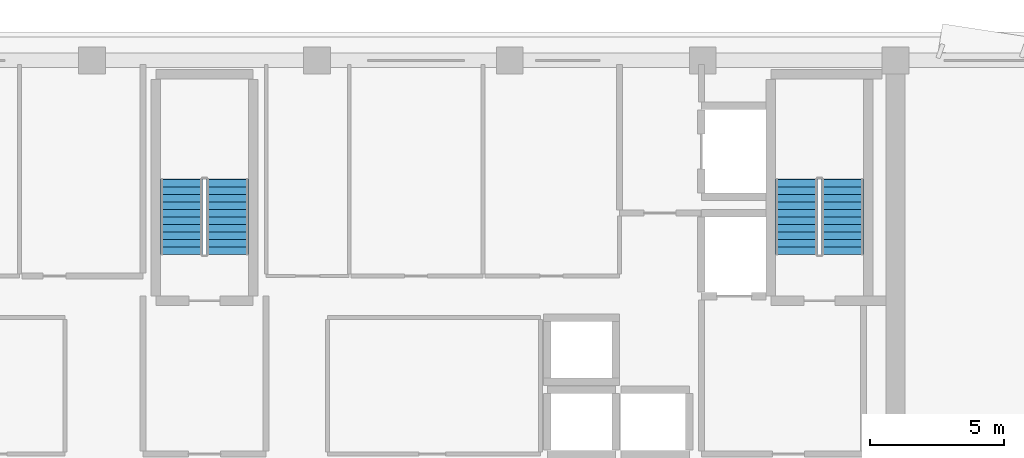
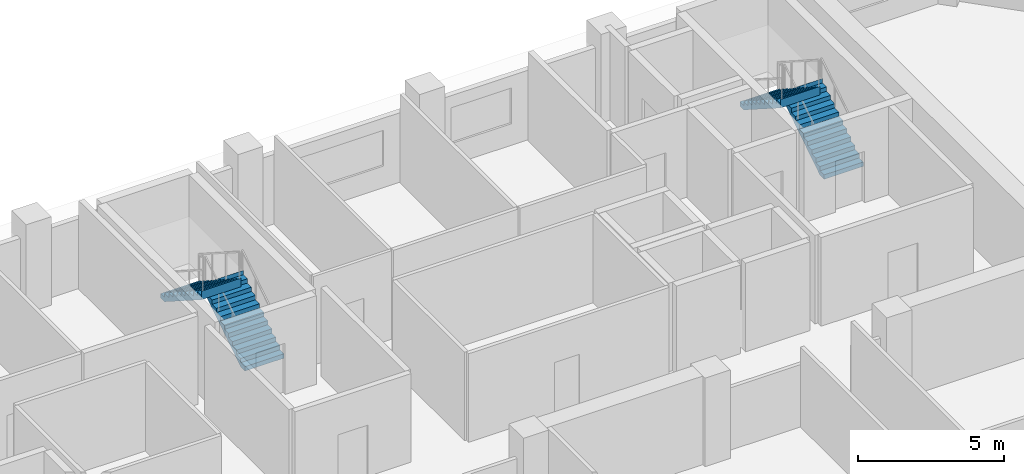
# One storey, part 8 of 11: 4 stair flights, 2 elements without a shape of their own.
"""IFC4 building model written with IfcOpenShell, lengths in metres."""

import ifcopenshell
import ifcopenshell.guid

model = None  # the IFC model being written
_history = None  # IfcOwnerHistory: only IFC2X3 demands one
_inside = {}  # id of a spatial element -> (the spatial element, [elements in it])
_under = {}  # id of a project, library or spatial element -> (it, [spatial elements below it])
_declared = {}  # id of a project -> (the project, [libraries it declares])
_typed = {}  # id of a type object -> (the type object, [elements of that type])
_made_of = {}  # id of a material, layer set ... -> (it, [elements and type objects made of it])


def new_model(schema):
    """Start an empty IFC model of exactly this schema.

    Asked for "IFC4X3", IfcOpenShell would pick the latest addendum, in which some entities
    have other attributes; the version numbers below select the first issue.
    IFC2X3 requires an IfcOwnerHistory on every rooted entity: one is made here for all.
    """
    global model, _history
    if schema == "IFC4X3":
        model = ifcopenshell.file(schema_version=(4, 3, 0, 0))
    else:
        model = ifcopenshell.file(schema=schema)
    _inside.clear()
    _under.clear()
    _declared.clear()
    _typed.clear()
    _made_of.clear()
    _history = None
    if model.schema == "IFC2X3":
        org = make("IfcOrganization", Name="unknown")
        user = make(
            "IfcPersonAndOrganization",
            ThePerson=make("IfcPerson", FamilyName="unknown"),
            TheOrganization=org,
        )
        app = make(
            "IfcApplication",
            ApplicationDeveloper=org,
            Version="unknown",
            ApplicationFullName="unknown",
            ApplicationIdentifier="unknown",
        )
        _history = make(
            "IfcOwnerHistory",
            OwningUser=user,
            OwningApplication=app,
            ChangeAction="ADDED",
            CreationDate=0,
        )
    return model


def make(cls, **values):
    """One entity of the class cls with the attributes given. An attribute that is None is left unset."""
    return model.create_entity(
        cls, **{name: value for name, value in values.items() if value is not None}
    )


def rooted(cls, **values):
    """An entity with a GlobalId (a new one), such as an element, a storey or a relation."""
    return make(cls, GlobalId=ifcopenshell.guid.new(), OwnerHistory=_history, **values)


def si_unit(unit_type, name, prefix=None):
    """IfcSIUnit, for example si_unit("LENGTHUNIT", "METRE", prefix="MILLI")."""
    return make("IfcSIUnit", UnitType=unit_type, Prefix=prefix, Name=name)


def assignment(units):
    """IfcUnitAssignment: the units of a project."""
    return None if units is None else make("IfcUnitAssignment", Units=units)


def point(xyz):
    """IfcCartesianPoint."""
    return None if xyz is None else make("IfcCartesianPoint", Coordinates=xyz)


def direction(xyz):
    """IfcDirection."""
    return None if xyz is None else make("IfcDirection", DirectionRatios=xyz)


def frame(location, z_axis=None, x_axis=None):
    """IfcAxis2Placement3D, a coordinate frame: its origin and axes. An axis left out is left unset."""
    return make(
        "IfcAxis2Placement3D",
        Location=point(location),
        Axis=direction(z_axis),
        RefDirection=direction(x_axis),
    )


def origin():
    """The frame at (0, 0, 0) with its axes left unset."""
    return frame((0.0, 0.0, 0.0))


def place(relative_to, where):
    """IfcLocalPlacement: puts the frame where relative to a parent placement (None: the world)."""
    return make(
        "IfcLocalPlacement", PlacementRelTo=relative_to, RelativePlacement=where
    )


def context(
    kind, dimensions, precision=None, world=None, true_north=None, identifier=None
):
    """IfcGeometricRepresentationContext, for example the 3D "Model" context."""
    return make(
        "IfcGeometricRepresentationContext",
        ContextIdentifier=identifier,
        ContextType=kind,
        CoordinateSpaceDimension=dimensions,
        Precision=precision,
        WorldCoordinateSystem=world,
        TrueNorth=true_north,
    )


def subcontext(parent, identifier, kind, view, scale=None):
    """IfcGeometricRepresentationSubContext, for example "Body" below "Model"."""
    return make(
        "IfcGeometricRepresentationSubContext",
        ContextIdentifier=identifier,
        ContextType=kind,
        ParentContext=parent,
        TargetScale=scale,
        TargetView=view,
    )


def project(units=None, contexts=None):
    """IfcProject with its units and contexts."""
    return rooted(
        "IfcProject",
        Name="project",
        RepresentationContexts=contexts,
        UnitsInContext=assignment(units),
    )


def spatial(cls, under=None, at=None, **own):
    """A site, building, storey or space (cls), placed at a placement, below another one or the project."""
    s = rooted(cls, ObjectPlacement=at, **own)
    if under is not None:
        _under.setdefault(under.id(), (under, []))[1].append(s)
    return s


def polyline(points):
    """IfcPolyline through the points."""
    return make("IfcPolyline", Points=[point(p) for p in points])


def outline(outer, holes=None, kind="AREA"):
    """IfcArbitraryClosedProfileDef: a profile drawn as a closed curve; with holes, ...WithVoids."""
    if holes is None:
        return make("IfcArbitraryClosedProfileDef", ProfileType=kind, OuterCurve=outer)
    return make(
        "IfcArbitraryProfileDefWithVoids",
        ProfileType=kind,
        OuterCurve=outer,
        InnerCurves=holes,
    )


def extrude(swept, where, along, depth):
    """IfcExtrudedAreaSolid: the profile swept, set in the frame where, extruded along a direction by depth."""
    return make(
        "IfcExtrudedAreaSolid",
        SweptArea=swept,
        Position=where,
        ExtrudedDirection=direction(along),
        Depth=depth,
    )


def shape(context_of_items, identifier, shape_type, items):
    """IfcShapeRepresentation: the items that make up one representation, for example the "Body"."""
    return make(
        "IfcShapeRepresentation",
        ContextOfItems=context_of_items,
        RepresentationIdentifier=identifier,
        RepresentationType=shape_type,
        Items=items,
    )


def material(Name=None, Category=None):
    """IfcMaterial."""
    return make("IfcMaterial", Name=Name, Category=Category)


def made_of(thing, what):
    """Note that an element or type object is made of a material, layer set ...; save() writes the relation."""
    if what is not None:
        _made_of.setdefault(what.id(), (what, []))[1].append(thing)
    return thing


def type_object(cls, material=None, **own):
    """A type object (cls), such as IfcWallType, which elements share."""
    return made_of(rooted(cls, **own), material)


def element(
    cls,
    number,
    at=None,
    inside=None,
    cuts=None,
    type_object=None,
    material=None,
    context=None,
    identifier="Body",
    shape_type=None,
    held_by="IfcProductDefinitionShape",
    body=None,
    shapes=None,
    **own,
):
    """One element of the class cls, such as IfcWall. Its Tag is "e" and its number.

    at: its placement. inside: the storey or other place that contains it. cuts: it is an
    opening in that element (IfcRelVoidsElement). A single representation is given by context,
    identifier, shape_type and body (its items); several are given by shapes. held_by: the class
    of the entity that holds the representations. save() writes the other relations.
    """
    e = rooted(cls, Tag="e%d" % number, ObjectPlacement=at, **own)
    if body is not None:
        shapes = [shape(context, identifier, shape_type, body)]
    if shapes is not None:
        e.Representation = make(held_by, Representations=shapes)
    if inside is not None:
        _inside.setdefault(inside.id(), (inside, []))[1].append(e)
    if cuts is not None:
        rooted(
            "IfcRelVoidsElement", RelatingBuildingElement=cuts, RelatedOpeningElement=e
        )
    if type_object is not None:
        _typed.setdefault(type_object.id(), (type_object, []))[1].append(e)
    return made_of(e, material)


def aggregate(whole, parts):
    """IfcRelAggregates: a whole, such as a stair, and the parts it consists of."""
    return rooted("IfcRelAggregates", RelatingObject=whole, RelatedObjects=parts)


def save(model, path):
    """Write the relations noted so far, then the file.

    IfcRelAggregates (storeys below a building ...), IfcRelContainedInSpatialStructure (elements
    in a storey), IfcRelDefinesByType, IfcRelAssociatesMaterial and IfcRelDeclares: one each for
    every whole, place, type object, material and project.
    """
    for whole, parts in _under.values():
        aggregate(whole, parts)
    for where, things in _inside.values():
        rooted(
            "IfcRelContainedInSpatialStructure",
            RelatedElements=things,
            RelatingStructure=where,
        )
    for kind, things in _typed.values():
        rooted("IfcRelDefinesByType", RelatedObjects=things, RelatingType=kind)
    for what, things in _made_of.values():
        rooted("IfcRelAssociatesMaterial", RelatedObjects=things, RelatingMaterial=what)
    for by, libraries in _declared.values():
        rooted("IfcRelDeclares", RelatingContext=by, RelatedDefinitions=libraries)
    model.write(path)


model = new_model("IFC4")

# Units and contexts
model_context = context("Model", 3, precision=1e-05, world=origin(), true_north=direction((0.0, 1.0)))
body_context = subcontext(model_context, "Body", "Model", "MODEL_VIEW")
ifc_project = project(units=[si_unit("LENGTHUNIT", "METRE"), si_unit("AREAUNIT", "SQUARE_METRE"), si_unit("VOLUMEUNIT", "CUBIC_METRE"), si_unit("PLANEANGLEUNIT", "RADIAN"), si_unit("MASSUNIT", "GRAM", prefix="KILO")], contexts=[model_context])

# Site, building, storey
site_placement = place(None, origin())
site = spatial("IfcSite", under=ifc_project, at=site_placement, CompositionType="ELEMENT")
building_placement = place(site_placement, origin())
building = spatial("IfcBuilding", under=site, at=building_placement, Name="Kaelvorn Grand Hotel", CompositionType="ELEMENT")
storey_placement = place(building_placement, frame((0.0, 0.0, 248.89990234375)))
storey = spatial("IfcBuildingStorey", under=building, at=storey_placement, Name="L61", CompositionType="ELEMENT", Elevation=248.89990234375)

# Stair, stair flights
ifc_material = material(Name="Concrete C40/50", Category="concrete")
stair_type = type_object("IfcStairType", Name="STR-DOG-1560-R09", PredefinedType="HALF_TURN_STAIR", material=ifc_material)
stair_1_placement = place(storey_placement, origin())
stair_1 = element("IfcStair", 1, at=stair_1_placement, inside=storey, type_object=stair_type, Name="L61 Central Core Exit Stair ST2", PredefinedType="HALF_TURN_STAIR")
stair_flight_type = type_object("IfcStairFlightType", Name="FLG-DOG-1560-R09", PredefinedType="STRAIGHT", material=ifc_material)
stair_flight_1_placement = place(storey_placement, frame((42.860107421875, 41.760009765625, 0.0), z_axis=(0.0, 0.0, 1.0), x_axis=(0.0, 1.0, 0.0)))
stair_flight_1 = element("IfcStairFlight", 2, at=stair_flight_1_placement, type_object=stair_flight_type, Name="ST2 flight 1", NumberOfRisers=11, NumberOfTreads=10, PredefinedType="STRAIGHT", RiserHeight=0.179545455, TreadLength=0.28, context=body_context, shape_type="SweptSolid", body=[
    extrude(outline(polyline([(-0.0048828125, 0.0), (-0.0048828125, 0.0400390625), (0.0, 0.179443359375), (0.280029296875, 0.179443359375), (0.280029296875, 0.359130859375), (0.56005859375, 0.359130859375), (0.56005859375, 0.53857421875), (0.840087890625, 0.53857421875), (0.840087890625, 0.71826171875), (1.1201171875, 0.71826171875), (1.1201171875, 0.897705078125), (1.39990234375, 0.897705078125), (1.39990234375, 1.077392578125), (1.679931640625, 1.077392578125), (1.679931640625, 1.2568359375), (1.9599609375, 1.2568359375), (1.9599609375, 1.436279296875), (2.239990234375, 1.436279296875), (2.239990234375, 1.615966796875), (2.52001953125, 1.615966796875), (2.52001953125, 1.79541015625), (2.800048828125, 1.79541015625), (2.800048828125, 1.97509765625), (2.804931640625, 1.97509765625), (2.804931640625, 1.617431640625), (0.277587890625, 0.0), (-0.0048828125, 0.0)])), frame((0.0, 0.780029296875, 0.0), z_axis=(0.0, -1.0, 0.0), x_axis=(1.0, 0.0, 0.0)), (0.0, 0.0, 1.0), 1.56005859375),
])
stair_flight_2_placement = place(storey_placement, frame((41.139892578125, 44.56005859375, 1.97509765625), z_axis=(0.0, 0.0, 1.0), x_axis=(0.0, -1.0, 0.0)))
stair_flight_2 = element("IfcStairFlight", 3, at=stair_flight_2_placement, type_object=stair_flight_type, Name="ST2 flight 2", NumberOfRisers=11, NumberOfTreads=10, PredefinedType="STRAIGHT", RiserHeight=0.179545455, TreadLength=0.28, context=body_context, shape_type="SweptSolid", body=[
    extrude(outline(polyline([(-0.0048828125, 0.0), (-0.0048828125, 0.0400390625), (0.0, 0.179443359375), (0.280029296875, 0.179443359375), (0.280029296875, 0.359130859375), (0.56005859375, 0.359130859375), (0.56005859375, 0.53857421875), (0.840087890625, 0.53857421875), (0.840087890625, 0.71826171875), (1.1201171875, 0.71826171875), (1.1201171875, 0.897705078125), (1.39990234375, 0.897705078125), (1.39990234375, 1.077392578125), (1.679931640625, 1.077392578125), (1.679931640625, 1.2568359375), (1.9599609375, 1.2568359375), (1.9599609375, 1.436279296875), (2.239990234375, 1.436279296875), (2.239990234375, 1.615966796875), (2.52001953125, 1.615966796875), (2.52001953125, 1.79541015625), (2.800048828125, 1.79541015625), (2.800048828125, 1.97509765625), (2.804931640625, 1.97509765625), (2.804931640625, 1.617431640625), (0.277587890625, 0.0), (-0.0048828125, 0.0)])), frame((0.0, 0.780029296875, 0.0), z_axis=(0.0, -1.0, 0.0), x_axis=(1.0, 0.0, 0.0)), (0.0, 0.0, 1.0), 1.56005859375),
])
aggregate(stair_1, [stair_flight_1, stair_flight_2])

stair_2_placement = place(storey_placement, origin())
stair_2 = element("IfcStair", 4, at=stair_2_placement, inside=storey, type_object=stair_type, Name="L61 East Core Exit Stair ST3", PredefinedType="HALF_TURN_STAIR")
stair_flight_3_placement = place(storey_placement, frame((65.820068359375, 41.760009765625, 0.0), z_axis=(0.0, 0.0, 1.0), x_axis=(0.0, 1.0, 0.0)))
stair_flight_3 = element("IfcStairFlight", 5, at=stair_flight_3_placement, type_object=stair_flight_type, Name="ST3 flight 1", NumberOfRisers=11, NumberOfTreads=10, PredefinedType="STRAIGHT", RiserHeight=0.179545455, TreadLength=0.28, context=body_context, shape_type="SweptSolid", body=[
    extrude(outline(polyline([(-0.0048828125, 0.0), (-0.0048828125, 0.0400390625), (0.0, 0.179443359375), (0.280029296875, 0.179443359375), (0.280029296875, 0.359130859375), (0.56005859375, 0.359130859375), (0.56005859375, 0.53857421875), (0.840087890625, 0.53857421875), (0.840087890625, 0.71826171875), (1.1201171875, 0.71826171875), (1.1201171875, 0.897705078125), (1.39990234375, 0.897705078125), (1.39990234375, 1.077392578125), (1.679931640625, 1.077392578125), (1.679931640625, 1.2568359375), (1.9599609375, 1.2568359375), (1.9599609375, 1.436279296875), (2.239990234375, 1.436279296875), (2.239990234375, 1.615966796875), (2.52001953125, 1.615966796875), (2.52001953125, 1.79541015625), (2.800048828125, 1.79541015625), (2.800048828125, 1.97509765625), (2.804931640625, 1.97509765625), (2.804931640625, 1.617431640625), (0.277587890625, 0.0), (-0.0048828125, 0.0)])), frame((0.0, 0.780029296875, 0.0), z_axis=(0.0, -1.0, 0.0), x_axis=(1.0, 0.0, 0.0)), (0.0, 0.0, 1.0), 1.56005859375),
])
stair_flight_4_placement = place(storey_placement, frame((64.10009765625, 44.56005859375, 1.97509765625), z_axis=(0.0, 0.0, 1.0), x_axis=(0.0, -1.0, 0.0)))
stair_flight_4 = element("IfcStairFlight", 6, at=stair_flight_4_placement, type_object=stair_flight_type, Name="ST3 flight 2", NumberOfRisers=11, NumberOfTreads=10, PredefinedType="STRAIGHT", RiserHeight=0.179545455, TreadLength=0.28, context=body_context, shape_type="SweptSolid", body=[
    extrude(outline(polyline([(-0.0048828125, 0.0), (-0.0048828125, 0.0400390625), (0.0, 0.179443359375), (0.280029296875, 0.179443359375), (0.280029296875, 0.359130859375), (0.56005859375, 0.359130859375), (0.56005859375, 0.53857421875), (0.840087890625, 0.53857421875), (0.840087890625, 0.71826171875), (1.1201171875, 0.71826171875), (1.1201171875, 0.897705078125), (1.39990234375, 0.897705078125), (1.39990234375, 1.077392578125), (1.679931640625, 1.077392578125), (1.679931640625, 1.2568359375), (1.9599609375, 1.2568359375), (1.9599609375, 1.436279296875), (2.239990234375, 1.436279296875), (2.239990234375, 1.615966796875), (2.52001953125, 1.615966796875), (2.52001953125, 1.79541015625), (2.800048828125, 1.79541015625), (2.800048828125, 1.97509765625), (2.804931640625, 1.97509765625), (2.804931640625, 1.617431640625), (0.277587890625, 0.0), (-0.0048828125, 0.0)])), frame((0.0, 0.780029296875, 0.0), z_axis=(0.0, -1.0, 0.0), x_axis=(1.0, 0.0, 0.0)), (0.0, 0.0, 1.0), 1.56005859375),
])
aggregate(stair_2, [stair_flight_3, stair_flight_4])

save(model, "model.ifc")
